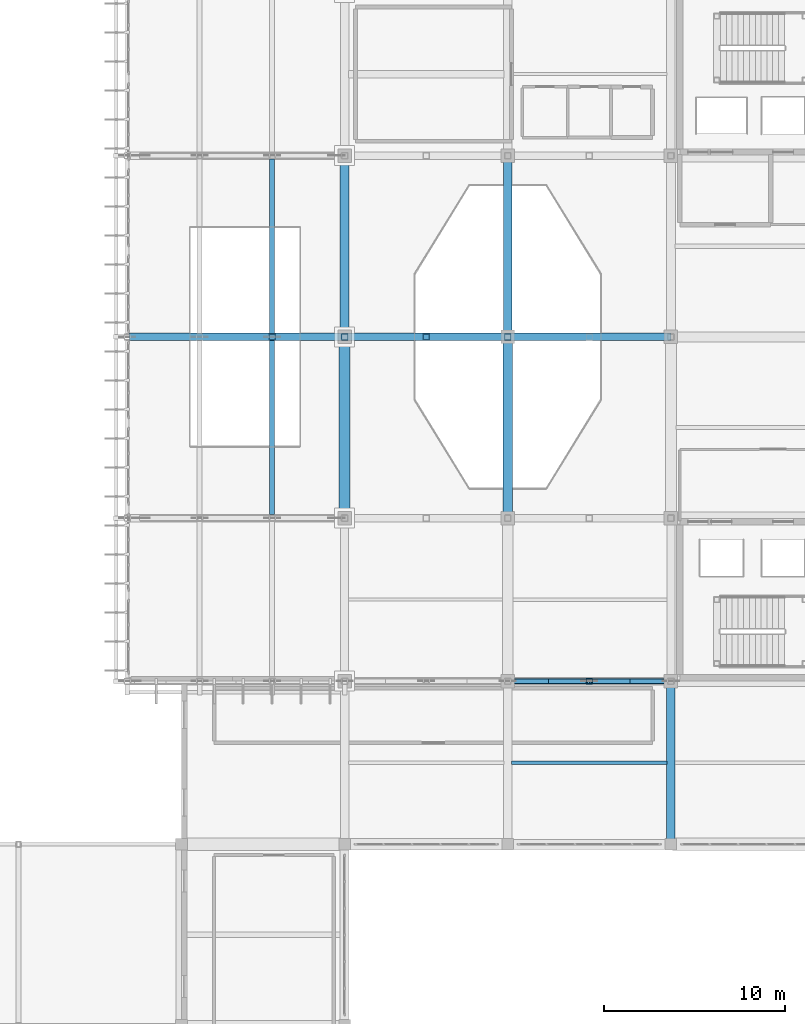
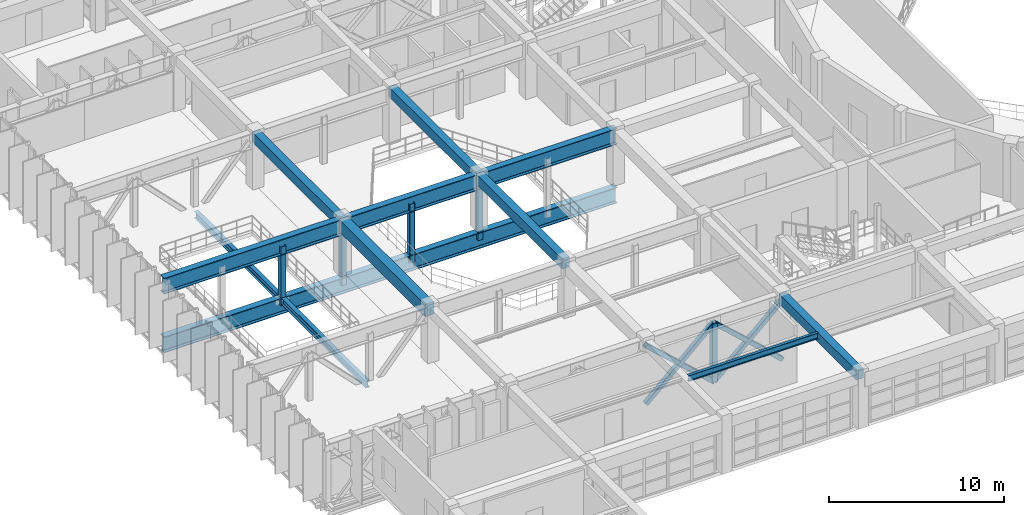
# One storey, part 38 of 130: 10 beams, 9 members.
"""IFC4 building model written with IfcOpenShell, lengths in metres."""

from ifc_helpers import new_model, si_unit, direction, frame, origin, origin_2d, place, context, subcontext, project, spatial, rectangle, hollow_rectangle, i_section, extrude, material, material_profile, profile_set, type_object, element, save


model = new_model("IFC4")

# Units and contexts
model_context = context("Model", 3, precision=1e-05, world=origin(), true_north=direction((0.0, 1.0)))
body_context = subcontext(model_context, "Body", "Model", "MODEL_VIEW")
ifc_project = project(units=[si_unit("LENGTHUNIT", "METRE"), si_unit("AREAUNIT", "SQUARE_METRE"), si_unit("VOLUMEUNIT", "CUBIC_METRE"), si_unit("PLANEANGLEUNIT", "RADIAN"), si_unit("MASSUNIT", "GRAM", prefix="KILO")], contexts=[model_context])

# Site, building, storey
site_placement = place(None, origin())
site = spatial("IfcSite", under=ifc_project, at=site_placement, CompositionType="ELEMENT")
building_placement = place(site_placement, origin())
building = spatial("IfcBuilding", under=site, at=building_placement, Name="Miravela Opera House", CompositionType="ELEMENT")
storey_placement = place(building_placement, frame((0.0, 0.0, 9.52001953125)))
storey = spatial("IfcBuildingStorey", under=building, at=storey_placement, Name="L02", CompositionType="ELEMENT", Elevation=9.52001953125)

# Beams
ifc_material_1 = material(Name="Concrete C35/45", Category="concrete")
ifc_material_profile_1 = material_profile(ifc_material_1, rectangle(XDim=0.47998046875, YDim=0.679931640625, at=origin_2d()), Name="RC-BM-480X680")
ifc_profile_set_1 = profile_set([ifc_material_profile_1])
beam_type_1 = type_object("IfcBeamType", Name="STR-BM-RC480X680", PredefinedType="BEAM", material=ifc_profile_set_1)
beam_1_placement = place(storey_placement, frame((36.0, 56.080078125, 3.5), z_axis=(0.0, 1.0, 0.0), x_axis=(-1.0, 0.0, 0.0)))
element("IfcBeam", 1, at=beam_1_placement, inside=storey, type_object=beam_type_1, Name="Floor Girder L02 5/G-H", PredefinedType="BEAM", context=body_context, shape_type="SweptSolid", body=[
    extrude(rectangle(XDim=0.47998046875, YDim=0.679931640625, at=origin_2d()), origin(), (0.0, 0.0, 1.0), 9.83984375),
])
beam_2_placement = place(storey_placement, frame((45.0, 28.080078125, 3.5), z_axis=(0.0, 1.0, 0.0), x_axis=(-1.0, 0.0, 0.0)))
element("IfcBeam", 2, at=beam_2_placement, inside=storey, type_object=beam_type_1, Name="Floor Girder L02 6/D-E", PredefinedType="BEAM", context=body_context, shape_type="SweptSolid", body=[
    extrude(rectangle(XDim=0.47998046875, YDim=0.679931640625, at=origin_2d()), origin(), (0.0, 0.0, 1.0), 8.83984375),
])
ifc_material_profile_2 = material_profile(ifc_material_1, rectangle(XDim=0.5, YDim=0.699951171875, at=origin_2d()), Name="RC-BM-500X700")
ifc_profile_set_2 = profile_set([ifc_material_profile_2])
beam_type_2 = type_object("IfcBeamType", Name="STR-BM-RC500X700", PredefinedType="BEAM", material=ifc_profile_set_2)
for number, where, z_axis, x_axis, name in (
    (3, (27.0, 56.080078125, 3.489990234375), (0.0, 1.0, 0.0), (-1.0, 0.0, 0.0), "Floor Girder L02 4/G-H"),
    (4, (36.0, 46.080078125, 3.489990234375), (0.0, 1.0, 0.0), (-1.0, 0.0, 0.0), "Floor Girder L02 5/F-G"),
):
    element("IfcBeam", number, at=place(storey_placement, frame(where, z_axis=z_axis, x_axis=x_axis)), inside=storey, type_object=beam_type_2, Name=name, PredefinedType="BEAM", context=body_context, shape_type="SweptSolid", body=[
        extrude(rectangle(XDim=0.5, YDim=0.699951171875, at=origin_2d()), origin(), (0.0, 0.0, 1.0), 9.83984375),
    ])
ifc_material_2 = material(Name="Concrete C40/50", Category="concrete")
ifc_material_profile_3 = material_profile(ifc_material_2, rectangle(XDim=0.60009765625, YDim=0.85009765625, at=origin_2d()), Name="RC-BM-600X850")
ifc_profile_set_3 = profile_set([ifc_material_profile_3])
beam_type_3 = type_object("IfcBeamType", Name="STR-BM-RC600X850", PredefinedType="BEAM", material=ifc_profile_set_3)
beam_3_placement = place(storey_placement, frame((27.0, 46.080078125, 3.4150390625), z_axis=(0.0, 1.0, 0.0), x_axis=(-1.0, 0.0, 0.0)))
element("IfcBeam", 5, at=beam_3_placement, inside=storey, type_object=beam_type_3, Name="Floor Girder L02 4/F-G", PredefinedType="BEAM", context=body_context, shape_type="SweptSolid", body=[
    extrude(rectangle(XDim=0.60009765625, YDim=0.85009765625, at=origin_2d()), origin(), (0.0, 0.0, 1.0), 9.83984375),
])
ifc_material_3 = material(Name="Structural steel ASTM A992 Gr. 50", Category="steel")
ifc_material_profile_4 = material_profile(ifc_material_3, i_section(OverallWidth=0.419921875, OverallDepth=1.10595703125, WebThickness=0.02001953125, FlangeThickness=0.0400390625, FilletRadius=0.02392578125, at=origin_2d()), Name="W1100X390")
ifc_profile_set_4 = profile_set([ifc_material_profile_4])
beam_type_4 = type_object("IfcBeamType", Name="STR-BM-W1100X390", PredefinedType="BEAM", material=ifc_profile_set_4)
for number, where, z_axis, x_axis, name in (
    (6, (45.0, 56.0, -0.81298828125), (-1.0, 0.0, 0.0), (0.0, -1.0, 0.0), "Cantilever Truss CT-03 Continuous Bottom Chord"),
    (7, (45.0, 56.0, 3.286865234375), (-1.0, 0.0, 0.0), (0.0, -1.0, 0.0), "Cantilever Truss CT-03 Continuous Top Chord"),
):
    element("IfcBeam", number, at=place(storey_placement, frame(where, z_axis=z_axis, x_axis=x_axis)), inside=storey, type_object=beam_type_4, Name=name, PredefinedType="BEAM", context=body_context, shape_type="SweptSolid", body=[
        extrude(i_section(OverallWidth=0.419921875, OverallDepth=1.10595703125, WebThickness=0.02001953125, FlangeThickness=0.0400390625, FilletRadius=0.02392578125, at=origin_2d()), origin(), (0.0, 0.0, 1.0), 29.889892578125),
    ])
ifc_material_profile_5 = material_profile(ifc_material_3, i_section(OverallWidth=0.180908203125, OverallDepth=0.4169921875, WebThickness=0.010986328125, FlangeThickness=0.018310546875, FilletRadius=0.013916015625, at=origin_2d()), Name="W410X85")
ifc_profile_set_5 = profile_set([ifc_material_profile_5])
beam_type_5 = type_object("IfcBeamType", Name="STR-BM-W410X85", PredefinedType="JOIST", material=ifc_profile_set_5)
beam_4_placement = place(storey_placement, frame((36.2099609375, 32.5, 3.631591796875), z_axis=(1.0, 0.0, 0.0), x_axis=(0.0, 1.0, 0.0)))
element("IfcBeam", 8, at=beam_4_placement, inside=storey, type_object=beam_type_5, Name="Secondary Floor Joist L02 5-6/D-E", PredefinedType="JOIST", context=body_context, shape_type="SweptSolid", body=[
    extrude(i_section(OverallWidth=0.180908203125, OverallDepth=0.4169921875, WebThickness=0.010986328125, FlangeThickness=0.018310546875, FilletRadius=0.013916015625, at=origin_2d()), origin(), (0.0, 0.0, 1.0), 8.56494140625),
])
ifc_material_profile_6 = material_profile(ifc_material_3, i_section(OverallWidth=0.280029296875, OverallDepth=0.462890625, WebThickness=0.0107421875, FlangeThickness=0.017333984375, FilletRadius=0.014892578125, at=origin_2d()), Name="W460X113")
ifc_profile_set_6 = profile_set([ifc_material_profile_6])
beam_type_6 = type_object("IfcBeamType", Name="STR-BM-W460X113", PredefinedType="BEAM", material=ifc_profile_set_6)
for number, where, z_axis, x_axis, name in (
    (9, (23.0, 46.195068359375, -0.491455078125), (0.0, 1.0, 0.0), (-1.0, 0.0, 0.0), "Cantilever Overhang Beam L02 X=23"),
    (10, (23.0, 56.195068359375, -0.491455078125), (0.0, 1.0, 0.0), (-1.0, 0.0, 0.0), "Cantilever Overhang Beam L02 X=23"),
):
    element("IfcBeam", number, at=place(storey_placement, frame(where, z_axis=z_axis, x_axis=x_axis)), inside=storey, type_object=beam_type_6, Name=name, PredefinedType="BEAM", context=body_context, shape_type="SweptSolid", body=[
        extrude(i_section(OverallWidth=0.280029296875, OverallDepth=0.462890625, WebThickness=0.0107421875, FlangeThickness=0.017333984375, FilletRadius=0.014892578125, at=origin_2d()), origin(), (0.0, 0.0, 1.0), 9.60986328125),
    ])

# Members
ifc_material_4 = material(Name="Hollow structural steel ASTM A500 Gr. C", Category="steel")
ifc_material_profile_7 = material_profile(ifc_material_4, hollow_rectangle(XDim=0.300048828125, YDim=0.300048828125, WallThickness=0.01611328125, InnerFilletRadius=0.01611328125, OuterFilletRadius=0.031982421875, at=origin_2d()), Name="HSS300X300X16")
ifc_profile_set_7 = profile_set([ifc_material_profile_7])
member_type_1 = type_object("IfcMemberType", Name="STR-MEM-CANT-DIAG", PredefinedType="BRACE", material=ifc_profile_set_7)
for number, where, z_axis, x_axis, name in (
    (11, (36.0, 37.0, -0.81298828125), (0.7392083166, 0.0, 0.673476847909), (0.0, 1.0, 0.0), "Cantilever Truss CT-01 Perimeter Web Diagonal 6A"),
    (12, (36.0, 37.0, 3.286865234375), (0.7392083166, 0.0, -0.673476847909), (0.0, 1.0, 0.0), "Cantilever Truss CT-01 Perimeter Web Diagonal 6B"),
    (13, (40.5, 37.0, -0.81298828125), (0.7392083166, 0.0, 0.673476847909), (0.0, 1.0, 0.0), "Cantilever Truss CT-01 Perimeter Web Diagonal 7A"),
    (14, (40.5, 37.0, 3.286865234375), (0.7392083166, 0.0, -0.673476847909), (0.0, 1.0, 0.0), "Cantilever Truss CT-01 Perimeter Web Diagonal 7B"),
):
    element("IfcMember", number, at=place(storey_placement, frame(where, z_axis=z_axis, x_axis=x_axis)), inside=storey, type_object=member_type_1, Name=name, PredefinedType="BRACE", context=body_context, shape_type="SweptSolid", body=[
        extrude(hollow_rectangle(XDim=0.300048828125, YDim=0.300048828125, WallThickness=0.01611328125, InnerFilletRadius=0.01611328125, OuterFilletRadius=0.031982421875, at=origin_2d()), origin(), (0.0, 0.0, 1.0), 6.087646484375),
    ])
ifc_material_profile_8 = material_profile(ifc_material_4, hollow_rectangle(XDim=0.35009765625, YDim=0.35009765625, WallThickness=0.01611328125, InnerFilletRadius=0.01611328125, OuterFilletRadius=0.031982421875, at=origin_2d()), Name="HSS350X350X16")
ifc_profile_set_8 = profile_set([ifc_material_profile_8])
member_type_2 = type_object("IfcMemberType", Name="STR-MEM-CANT-POST", PredefinedType="POST", material=ifc_profile_set_8)
for number, where, z_axis, x_axis, name in (
    (15, (40.5, 37.0, -0.81298828125), (0.0, 0.0, 1.0), (1.0, 0.0, 0.0), "Cantilever Truss CT-01 Post X=40.5"),
    (16, (23.0, 56.0, -0.81298828125), (0.0, 0.0, 1.0), (1.0, 0.0, 0.0), "Cantilever Truss CT-03 Post X=23.0"),
    (17, (27.0, 56.0, -0.81298828125), (0.0, 0.0, 1.0), (1.0, 0.0, 0.0), "Cantilever Truss CT-03 Post X=27.0"),
    (18, (31.5, 56.0, -0.81298828125), (0.0, 0.0, 1.0), (1.0, 0.0, 0.0), "Cantilever Truss CT-03 Post X=31.5"),
    (19, (36.0, 56.0, -0.81298828125), (0.0, 0.0, 1.0), (1.0, 0.0, 0.0), "Cantilever Truss CT-03 Post X=36.0"),
):
    element("IfcMember", number, at=place(storey_placement, frame(where, z_axis=z_axis, x_axis=x_axis)), inside=storey, type_object=member_type_2, Name=name, PredefinedType="POST", context=body_context, shape_type="SweptSolid", body=[
        extrude(hollow_rectangle(XDim=0.35009765625, YDim=0.35009765625, WallThickness=0.01611328125, InnerFilletRadius=0.01611328125, OuterFilletRadius=0.031982421875, at=origin_2d()), origin(), (0.0, 0.0, 1.0), 4.099853515625),
    ])

save(model, "model.ifc")
